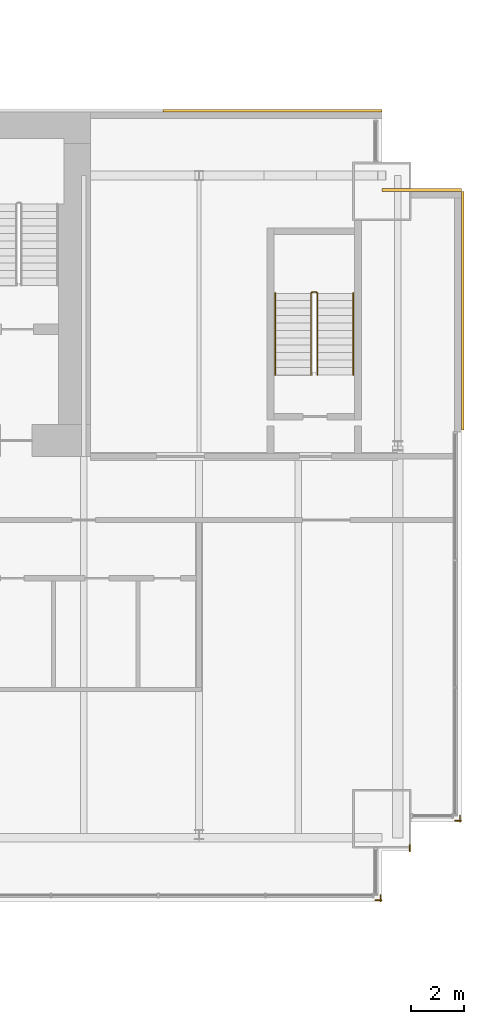
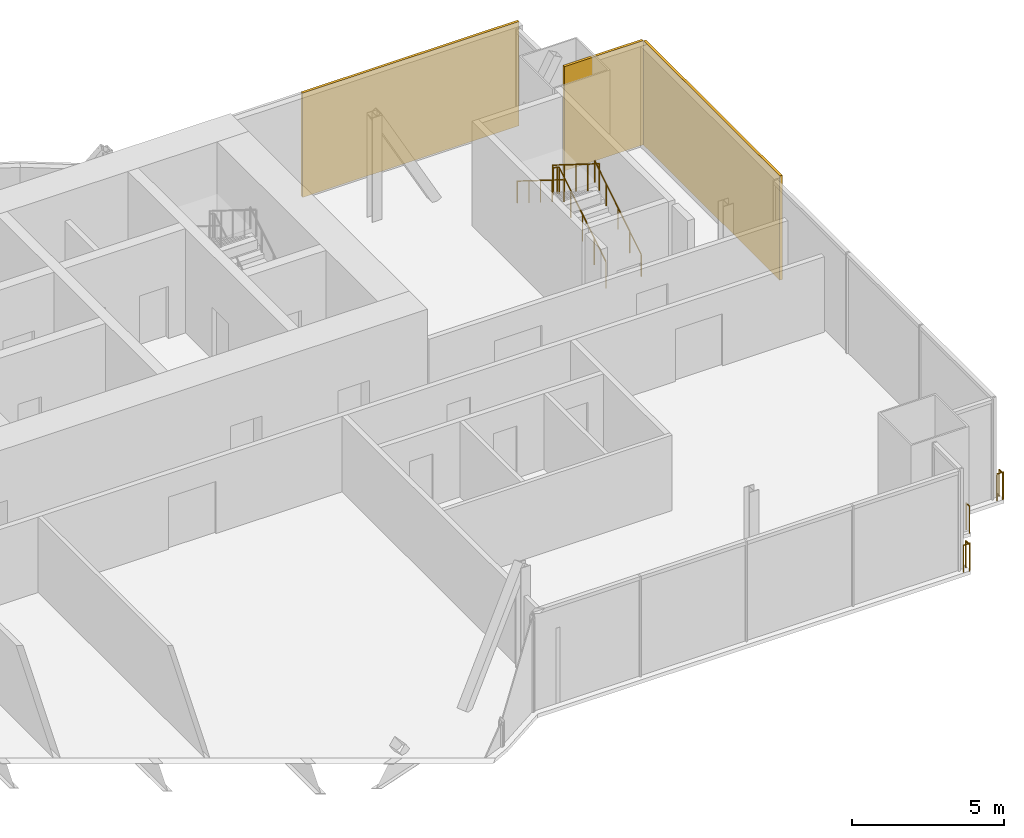
# One storey, part 20 of 20: 6 railings, 3 coverings.
"""IFC4 building model written with IfcOpenShell, lengths in metres."""

from ifc_helpers import new_model, si_unit, direction, frame, origin, origin_2d, place, context, subcontext, project, spatial, rectangle, circle, extrude, material, layer, layer_set, type_object, element, save


model = new_model("IFC4")

# Units and contexts
model_context = context("Model", 3, precision=1e-05, world=origin(), true_north=direction((0.0, 1.0)))
body_context = subcontext(model_context, "Body", "Model", "MODEL_VIEW")
ifc_project = project(units=[si_unit("LENGTHUNIT", "METRE"), si_unit("AREAUNIT", "SQUARE_METRE"), si_unit("VOLUMEUNIT", "CUBIC_METRE"), si_unit("PLANEANGLEUNIT", "RADIAN"), si_unit("MASSUNIT", "GRAM", prefix="KILO")], contexts=[model_context])

# Site, building, storey
site_placement = place(None, origin())
site = spatial("IfcSite", under=ifc_project, at=site_placement, CompositionType="ELEMENT")
building_placement = place(site_placement, origin())
building = spatial("IfcBuilding", under=site, at=building_placement, Name="Bicima Exchange Tower", CompositionType="ELEMENT")
storey_placement = place(building_placement, frame((0.0, 0.0, 249.800048828125)))
storey = spatial("IfcBuildingStorey", under=building, at=storey_placement, Name="L56", CompositionType="ELEMENT", Elevation=249.800048828125)

# Coverings
ifc_material_1 = material(Name="Bronze metal cladding")
ifc_layer_1 = layer(ifc_material_1, 0.004)
ifc_material_2 = material(Name="Ventilated cavity")
ifc_layer_2 = layer(ifc_material_2, 0.06)
ifc_material_3 = material(Name="Galvanised steel rail and mineral wool", Category="steel")
ifc_layer_3 = layer(ifc_material_3, 0.036)
ifc_layer_set = layer_set([ifc_layer_1, ifc_layer_2, ifc_layer_3], Name="Ventilated cavity")
covering_type = type_object("IfcCoveringType", Name="Bronze metal cladding panel 100", PredefinedType="CLADDING", material=ifc_layer_set)
covering_1_placement = place(storey_placement, frame((28.875, 0.050048828125, -0.14990234375), z_axis=(0.0, 0.0, 1.0), x_axis=(-1.0, 0.0, 0.0)))
element("IfcCovering", 1, at=covering_1_placement, inside=storey, type_object=covering_type, Name="Bronze cladding L56 1.1", PredefinedType="CLADDING", context=body_context, shape_type="SweptSolid", body=[
    extrude(rectangle(XDim=8.25, YDim=0.10009765625, at=origin_2d()), origin(), (0.0, 0.0, 1.0), 4.199951171875),
])
covering_2_placement = place(storey_placement, frame((36.050048828125, -7.5, -0.14990234375), z_axis=(0.0, 0.0, 1.0), x_axis=(0.0, 1.0, 0.0)))
element("IfcCovering", 2, at=covering_2_placement, inside=storey, type_object=covering_type, Name="Bronze cladding L56 50.1", PredefinedType="CLADDING", context=body_context, shape_type="SweptSolid", body=[
    extrude(rectangle(XDim=9.0, YDim=0.10009765625, at=origin_2d()), origin(), (0.0, 0.0, 1.0), 4.199951171875),
])
covering_3_placement = place(storey_placement, frame((34.5, -2.949951171875, -0.14990234375), z_axis=(0.0, 0.0, 1.0), x_axis=(-1.0, 0.0, 0.0)))
element("IfcCovering", 3, at=covering_3_placement, inside=storey, type_object=covering_type, Name="Bronze cladding L56 51.1", PredefinedType="CLADDING", context=body_context, shape_type="SweptSolid", body=[
    extrude(rectangle(XDim=3.0, YDim=0.10009765625, at=origin_2d()), origin(), (0.0, 0.0, 1.0), 4.199951171875),
])

# Railings
ifc_material_4 = material(Name="Stainless steel and bonded safety glass", Category="steel")
railing_type_1 = type_object("IfcRailingType", Name="Edge guard 1100", PredefinedType="GUARDRAIL", material=ifc_material_4)
railing_1_placement = place(storey_placement, frame((35.949951171875, -26.552001953125, 0.0)))
element("IfcRailing", 4, at=railing_1_placement, inside=storey, type_object=railing_type_1, Name="Edge guard L56 284", PredefinedType="GUARDRAIL", context=body_context, shape_type="SweptSolid", body=[
    extrude(circle(Radius=0.02392578125, at=origin_2d()), frame((0.0, 0.0, 1.076171875), z_axis=(0.0, -1.0, 0.0), x_axis=(1.0, 0.0, 0.0)), (0.0, 0.0, 1.0), 0.248046875),
    extrude(circle(Radius=0.02392578125, at=origin_2d()), frame((0.0, -0.248046875, 1.076171875), z_axis=(0.707106781187, 0.707106781187, 0.0), x_axis=(-0.707106781187, 0.707106781187, 0.0)), (0.0, 0.0, 1.0), 0.07080078125),
    extrude(circle(Radius=0.02392578125, at=origin_2d()), frame((0.050048828125, -0.197998046875, 1.076171875), z_axis=(-1.0, 0.0, 0.0), x_axis=(0.0, -1.0, 0.0)), (0.0, 0.0, 1.0), 0.237060546875),
    extrude(circle(Radius=0.02099609375, at=origin_2d()), origin(), (0.0, 0.0, 1.0), 1.052001953125),
    extrude(circle(Radius=0.02099609375, at=origin_2d()), frame((0.0, -0.248046875, 0.0)), (0.0, 0.0, 1.0), 1.052001953125),
    extrude(circle(Radius=0.02099609375, at=origin_2d()), frame((0.050048828125, -0.197998046875, 0.0)), (0.0, 0.0, 1.0), 1.052001953125),
    extrude(circle(Radius=0.02099609375, at=origin_2d()), frame((-0.18701171875, -0.197998046875, 0.0)), (0.0, 0.0, 1.0), 1.052001953125),
])
railing_2_placement = place(storey_placement, frame((34.050048828125, -27.679931640625, 0.0)))
element("IfcRailing", 5, at=railing_2_placement, inside=storey, type_object=railing_type_1, Name="Edge guard L56 285", PredefinedType="GUARDRAIL", context=body_context, shape_type="SweptSolid", body=[
    extrude(circle(Radius=0.02392578125, at=origin_2d()), frame((0.0, 0.0, 1.076171875), z_axis=(0.0, -1.0, 0.0), x_axis=(1.0, 0.0, 0.0)), (0.0, 0.0, 1.0), 0.219970703125),
    extrude(circle(Radius=0.02099609375, at=origin_2d()), origin(), (0.0, 0.0, 1.0), 1.052001953125),
    extrude(circle(Radius=0.02099609375, at=origin_2d()), frame((0.0, -0.219970703125, 0.0)), (0.0, 0.0, 1.0), 1.052001953125),
])
railing_3_placement = place(storey_placement, frame((32.949951171875, -29.56201171875, 0.0)))
element("IfcRailing", 6, at=railing_3_placement, inside=storey, type_object=railing_type_1, Name="Edge guard L56 286", PredefinedType="GUARDRAIL", context=body_context, shape_type="SweptSolid", body=[
    extrude(circle(Radius=0.02392578125, at=origin_2d()), frame((0.0, 0.0, 1.076171875), z_axis=(0.0, -1.0, 0.0), x_axis=(1.0, 0.0, 0.0)), (0.0, 0.0, 1.0), 0.238037109375),
    extrude(circle(Radius=0.02392578125, at=origin_2d()), frame((0.0, -0.238037109375, 1.076171875), z_axis=(0.707106781187, 0.707106781187, 0.0), x_axis=(-0.707106781187, 0.707106781187, 0.0)), (0.0, 0.0, 1.0), 0.07080078125),
    extrude(circle(Radius=0.02392578125, at=origin_2d()), frame((0.050048828125, -0.18798828125, 1.076171875), z_axis=(-1.0, 0.0, 0.0), x_axis=(0.0, -1.0, 0.0)), (0.0, 0.0, 1.0), 0.25),
    extrude(circle(Radius=0.02099609375, at=origin_2d()), origin(), (0.0, 0.0, 1.0), 1.052001953125),
    extrude(circle(Radius=0.02099609375, at=origin_2d()), frame((0.0, -0.238037109375, 0.0)), (0.0, 0.0, 1.0), 1.052001953125),
    extrude(circle(Radius=0.02099609375, at=origin_2d()), frame((0.050048828125, -0.18798828125, 0.0)), (0.0, 0.0, 1.0), 1.052001953125),
    extrude(circle(Radius=0.02099609375, at=origin_2d()), frame((-0.199951171875, -0.18798828125, 0.0)), (0.0, 0.0, 1.0), 1.052001953125),
])
ifc_material_5 = material(Name="Stainless steel", Category="steel")
railing_type_2 = type_object("IfcRailingType", Name="Stair guard 1100", PredefinedType="GUARDRAIL", material=ifc_material_5)
railing_4_placement = place(storey_placement, frame((30.574951171875, -9.925048828125, 0.175048828125)))
element("IfcRailing", 7, at=railing_4_placement, inside=storey, type_object=railing_type_2, Name="L56 ST-EE stair guard 1", PredefinedType="GUARDRAIL", context=body_context, shape_type="SweptSolid", body=[
    extrude(circle(Radius=0.02392578125, at=origin_2d()), frame((0.0, 0.0, 1.076171875), z_axis=(0.0, 0.848028513186, 0.529950602248), x_axis=(-1.0, 0.0, 0.0)), (0.0, 0.0, 1.0), 3.632080078125),
    extrude(circle(Radius=0.02392578125, at=origin_2d()), frame((0.0, 3.080078125, 3.0009765625), z_axis=(-0.707106781187, 0.707106781187, 0.0), x_axis=(-0.707106781187, -0.707106781187, 0.0)), (0.0, 0.0, 1.0), 0.07080078125),
    extrude(circle(Radius=0.02392578125, at=origin_2d()), frame((-0.050048828125, 3.130126953125, 3.0009765625), z_axis=(-1.0, 0.0, 0.0), x_axis=(0.0, -1.0, 0.0)), (0.0, 0.0, 1.0), 0.14990234375),
    extrude(circle(Radius=0.02392578125, at=origin_2d()), frame((-0.199951171875, 3.130126953125, 3.0009765625), z_axis=(-0.265065253269, -0.265065253269, 0.927081885822), x_axis=(0.707106781187, -0.707106781187, 0.0)), (0.0, 0.0, 1.0), 0.188720703125),
    extrude(circle(Radius=0.02392578125, at=origin_2d()), frame((-0.25, 3.080078125, 3.17578125), z_axis=(0.0, -0.847998304005, 0.529998940003), x_axis=(1.0, 0.0, 0.0)), (0.0, 0.0, 1.0), 3.632080078125),
    extrude(circle(Radius=0.02099609375, at=origin_2d()), origin(), (0.0, 0.0, 1.0), 1.052001953125),
    extrude(circle(Radius=0.02099609375, at=origin_2d()), frame((0.0, 0.77001953125, 0.481201171875)), (0.0, 0.0, 1.0), 1.052001953125),
    extrude(circle(Radius=0.02099609375, at=origin_2d()), frame((0.0, 1.5400390625, 0.96240234375)), (0.0, 0.0, 1.0), 1.052001953125),
    extrude(circle(Radius=0.02099609375, at=origin_2d()), frame((0.0, 2.31005859375, 1.443603515625)), (0.0, 0.0, 1.0), 1.052001953125),
    extrude(circle(Radius=0.02099609375, at=origin_2d()), frame((0.0, 3.080078125, 1.9248046875)), (0.0, 0.0, 1.0), 1.052001953125),
    extrude(circle(Radius=0.02099609375, at=origin_2d()), frame((-0.050048828125, 3.130126953125, 1.9248046875)), (0.0, 0.0, 1.0), 1.052001953125),
    extrude(circle(Radius=0.02099609375, at=origin_2d()), frame((-0.199951171875, 3.130126953125, 1.9248046875)), (0.0, 0.0, 1.0), 1.052001953125),
    extrude(circle(Radius=0.02099609375, at=origin_2d()), frame((-0.25, 3.080078125, 2.099853515625)), (0.0, 0.0, 1.0), 1.052001953125),
    extrude(circle(Radius=0.02099609375, at=origin_2d()), frame((-0.25, 2.31005859375, 2.5810546875)), (0.0, 0.0, 1.0), 1.052001953125),
    extrude(circle(Radius=0.02099609375, at=origin_2d()), frame((-0.25, 1.5400390625, 3.0625)), (0.0, 0.0, 1.0), 1.052001953125),
    extrude(circle(Radius=0.02099609375, at=origin_2d()), frame((-0.25, 0.77001953125, 3.543701171875)), (0.0, 0.0, 1.0), 1.052001953125),
    extrude(circle(Radius=0.02099609375, at=origin_2d()), frame((-0.25, 0.0, 4.02490234375)), (0.0, 0.0, 1.0), 1.052001953125),
])
railing_type_3 = type_object("IfcRailingType", Name="Stair handrail 900", PredefinedType="HANDRAIL", material=ifc_material_5)
railing_5_placement = place(storey_placement, frame((31.925048828125, -9.925048828125, 0.175048828125)))
element("IfcRailing", 8, at=railing_5_placement, inside=storey, type_object=railing_type_3, Name="L56 ST-EE stair handrail 1", PredefinedType="HANDRAIL", context=body_context, shape_type="SweptSolid", body=[
    extrude(circle(Radius=0.02392578125, at=origin_2d()), frame((0.0, 0.0, 0.8759765625), z_axis=(0.0, 0.848028513186, 0.529950602248), x_axis=(-1.0, 0.0, 0.0)), (0.0, 0.0, 1.0), 3.632080078125),
    extrude(circle(Radius=0.02099609375, at=origin_2d()), origin(), (0.0, 0.0, 1.0), 0.851806640625),
    extrude(circle(Radius=0.02099609375, at=origin_2d()), frame((0.0, 0.77001953125, 0.481201171875)), (0.0, 0.0, 1.0), 0.851806640625),
    extrude(circle(Radius=0.02099609375, at=origin_2d()), frame((0.0, 1.5400390625, 0.96240234375)), (0.0, 0.0, 1.0), 0.851806640625),
    extrude(circle(Radius=0.02099609375, at=origin_2d()), frame((0.0, 2.31005859375, 1.443603515625)), (0.0, 0.0, 1.0), 0.851806640625),
    extrude(circle(Radius=0.02099609375, at=origin_2d()), frame((0.0, 3.080078125, 1.9248046875)), (0.0, 0.0, 1.0), 0.851806640625),
])
railing_6_placement = place(storey_placement, frame((28.97509765625, -6.844970703125, 2.303955078125)))
element("IfcRailing", 9, at=railing_6_placement, inside=storey, type_object=railing_type_3, Name="L56 ST-EE stair handrail 2", PredefinedType="HANDRAIL", context=body_context, shape_type="SweptSolid", body=[
    extrude(circle(Radius=0.02392578125, at=origin_2d()), frame((0.0, 0.0, 0.8759765625), z_axis=(0.0, -0.847998304005, 0.529998940003), x_axis=(1.0, 0.0, 0.0)), (0.0, 0.0, 1.0), 3.632080078125),
    extrude(circle(Radius=0.02099609375, at=origin_2d()), origin(), (0.0, 0.0, 1.0), 0.851806640625),
    extrude(circle(Radius=0.02099609375, at=origin_2d()), frame((0.0, -0.77001953125, 0.481201171875)), (0.0, 0.0, 1.0), 0.851806640625),
    extrude(circle(Radius=0.02099609375, at=origin_2d()), frame((0.0, -1.5400390625, 0.96240234375)), (0.0, 0.0, 1.0), 0.851806640625),
    extrude(circle(Radius=0.02099609375, at=origin_2d()), frame((0.0, -2.31005859375, 1.44384765625)), (0.0, 0.0, 1.0), 0.851806640625),
    extrude(circle(Radius=0.02099609375, at=origin_2d()), frame((0.0, -3.080078125, 1.925048828125)), (0.0, 0.0, 1.0), 0.851806640625),
])

save(model, "model.ifc")
